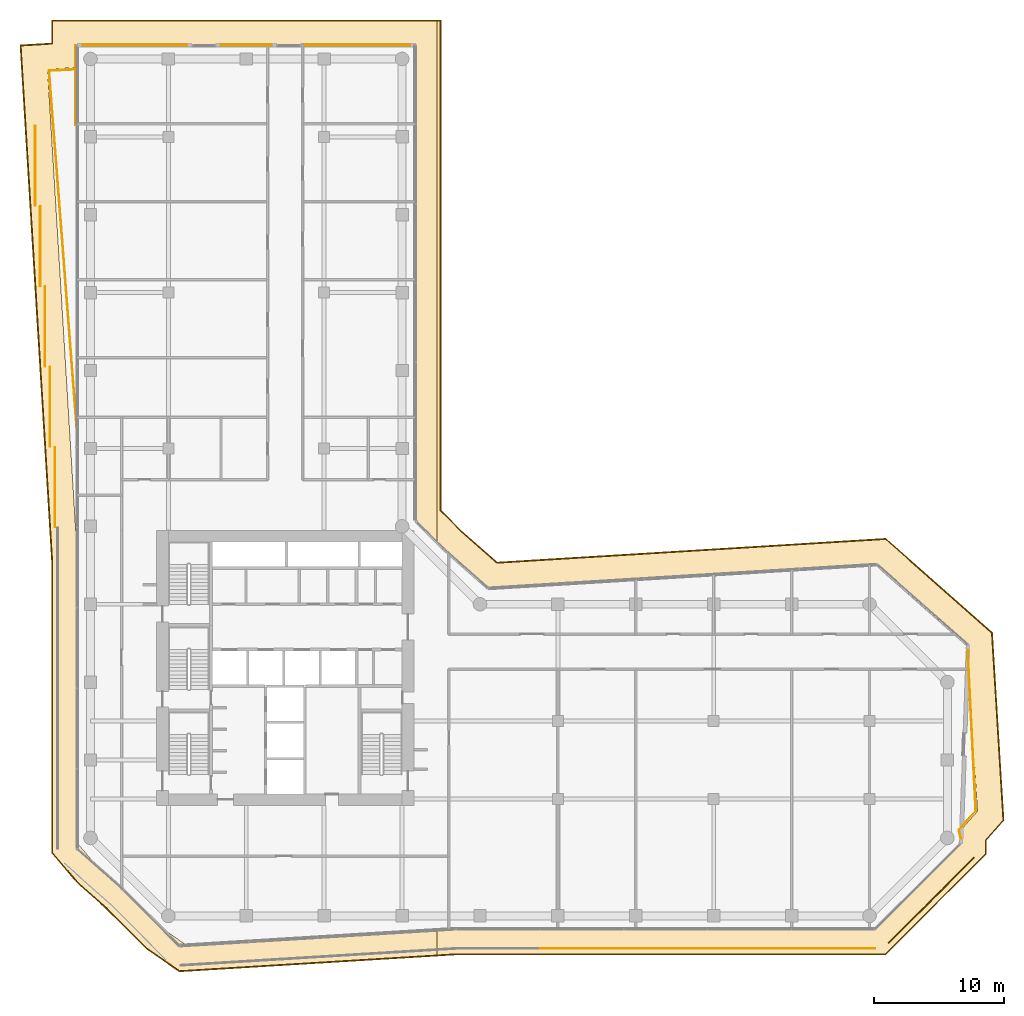
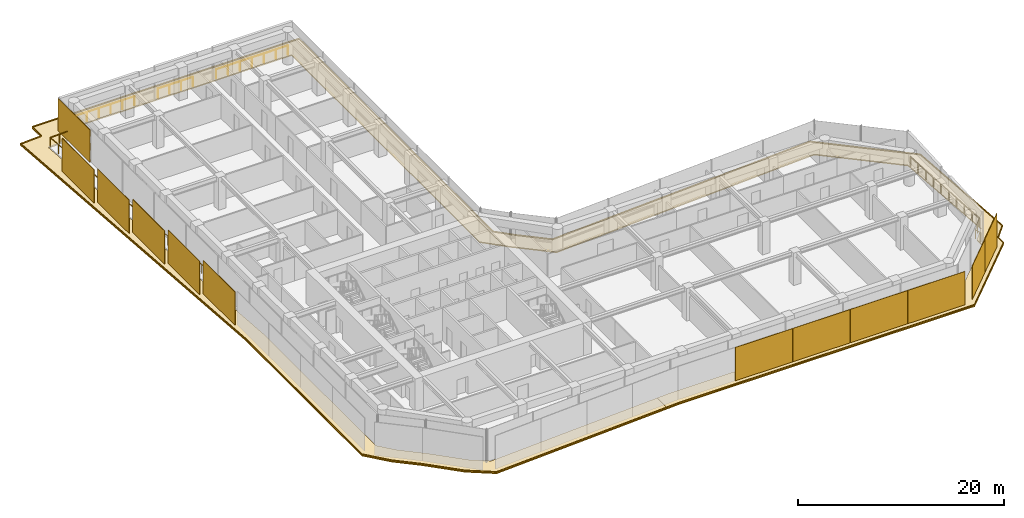
# One storey, part 29 of 29: 16 coverings, 5 railings.
"""IFC4 building model written with IfcOpenShell, lengths in metres."""

import ifcopenshell
import ifcopenshell.guid

model = None  # the IFC model being written
_history = None  # IfcOwnerHistory: only IFC2X3 demands one
_inside = {}  # id of a spatial element -> (the spatial element, [elements in it])
_under = {}  # id of a project, library or spatial element -> (it, [spatial elements below it])
_declared = {}  # id of a project -> (the project, [libraries it declares])
_typed = {}  # id of a type object -> (the type object, [elements of that type])
_made_of = {}  # id of a material, layer set ... -> (it, [elements and type objects made of it])


def new_model(schema):
    """Start an empty IFC model of exactly this schema.

    Asked for "IFC4X3", IfcOpenShell would pick the latest addendum, in which some entities
    have other attributes; the version numbers below select the first issue.
    IFC2X3 requires an IfcOwnerHistory on every rooted entity: one is made here for all.
    """
    global model, _history
    if schema == "IFC4X3":
        model = ifcopenshell.file(schema_version=(4, 3, 0, 0))
    else:
        model = ifcopenshell.file(schema=schema)
    _inside.clear()
    _under.clear()
    _declared.clear()
    _typed.clear()
    _made_of.clear()
    _history = None
    if model.schema == "IFC2X3":
        org = make("IfcOrganization", Name="unknown")
        user = make(
            "IfcPersonAndOrganization",
            ThePerson=make("IfcPerson", FamilyName="unknown"),
            TheOrganization=org,
        )
        app = make(
            "IfcApplication",
            ApplicationDeveloper=org,
            Version="unknown",
            ApplicationFullName="unknown",
            ApplicationIdentifier="unknown",
        )
        _history = make(
            "IfcOwnerHistory",
            OwningUser=user,
            OwningApplication=app,
            ChangeAction="ADDED",
            CreationDate=0,
        )
    return model


def make(cls, **values):
    """One entity of the class cls with the attributes given. An attribute that is None is left unset."""
    return model.create_entity(
        cls, **{name: value for name, value in values.items() if value is not None}
    )


def rooted(cls, **values):
    """An entity with a GlobalId (a new one), such as an element, a storey or a relation."""
    return make(cls, GlobalId=ifcopenshell.guid.new(), OwnerHistory=_history, **values)


def si_unit(unit_type, name, prefix=None):
    """IfcSIUnit, for example si_unit("LENGTHUNIT", "METRE", prefix="MILLI")."""
    return make("IfcSIUnit", UnitType=unit_type, Prefix=prefix, Name=name)


def assignment(units):
    """IfcUnitAssignment: the units of a project."""
    return None if units is None else make("IfcUnitAssignment", Units=units)


def point(xyz):
    """IfcCartesianPoint."""
    return None if xyz is None else make("IfcCartesianPoint", Coordinates=xyz)


def direction(xyz):
    """IfcDirection."""
    return None if xyz is None else make("IfcDirection", DirectionRatios=xyz)


def frame(location, z_axis=None, x_axis=None):
    """IfcAxis2Placement3D, a coordinate frame: its origin and axes. An axis left out is left unset."""
    return make(
        "IfcAxis2Placement3D",
        Location=point(location),
        Axis=direction(z_axis),
        RefDirection=direction(x_axis),
    )


def frame_2d(location, x_axis=None):
    """IfcAxis2Placement2D, a coordinate frame in the plane: its origin and x axis."""
    return make(
        "IfcAxis2Placement2D", Location=point(location), RefDirection=direction(x_axis)
    )


def origin():
    """The frame at (0, 0, 0) with its axes left unset."""
    return frame((0.0, 0.0, 0.0))


def origin_2d():
    """The frame at (0, 0) in the plane with its x axis left unset."""
    return frame_2d((0.0, 0.0))


def place(relative_to, where):
    """IfcLocalPlacement: puts the frame where relative to a parent placement (None: the world)."""
    return make(
        "IfcLocalPlacement", PlacementRelTo=relative_to, RelativePlacement=where
    )


def context(
    kind, dimensions, precision=None, world=None, true_north=None, identifier=None
):
    """IfcGeometricRepresentationContext, for example the 3D "Model" context."""
    return make(
        "IfcGeometricRepresentationContext",
        ContextIdentifier=identifier,
        ContextType=kind,
        CoordinateSpaceDimension=dimensions,
        Precision=precision,
        WorldCoordinateSystem=world,
        TrueNorth=true_north,
    )


def subcontext(parent, identifier, kind, view, scale=None):
    """IfcGeometricRepresentationSubContext, for example "Body" below "Model"."""
    return make(
        "IfcGeometricRepresentationSubContext",
        ContextIdentifier=identifier,
        ContextType=kind,
        ParentContext=parent,
        TargetScale=scale,
        TargetView=view,
    )


def project(units=None, contexts=None):
    """IfcProject with its units and contexts."""
    return rooted(
        "IfcProject",
        Name="project",
        RepresentationContexts=contexts,
        UnitsInContext=assignment(units),
    )


def spatial(cls, under=None, at=None, **own):
    """A site, building, storey or space (cls), placed at a placement, below another one or the project."""
    s = rooted(cls, ObjectPlacement=at, **own)
    if under is not None:
        _under.setdefault(under.id(), (under, []))[1].append(s)
    return s


def polyline(points):
    """IfcPolyline through the points."""
    return make("IfcPolyline", Points=[point(p) for p in points])


def profile(cls, at=None, kind="AREA", **sizes):
    """A parametric profile (cls). Its sizes go by their IFC names, for example OverallWidth=200.0."""
    return make(cls, ProfileType=kind, Position=at, **sizes)


def rectangle(**sizes):
    """IfcRectangleProfileDef."""
    return profile("IfcRectangleProfileDef", **sizes)


def circle(**sizes):
    """IfcCircleProfileDef."""
    return profile("IfcCircleProfileDef", **sizes)


def outline(outer, holes=None, kind="AREA"):
    """IfcArbitraryClosedProfileDef: a profile drawn as a closed curve; with holes, ...WithVoids."""
    if holes is None:
        return make("IfcArbitraryClosedProfileDef", ProfileType=kind, OuterCurve=outer)
    return make(
        "IfcArbitraryProfileDefWithVoids",
        ProfileType=kind,
        OuterCurve=outer,
        InnerCurves=holes,
    )


def extrude(swept, where, along, depth):
    """IfcExtrudedAreaSolid: the profile swept, set in the frame where, extruded along a direction by depth."""
    return make(
        "IfcExtrudedAreaSolid",
        SweptArea=swept,
        Position=where,
        ExtrudedDirection=direction(along),
        Depth=depth,
    )


def shape(context_of_items, identifier, shape_type, items):
    """IfcShapeRepresentation: the items that make up one representation, for example the "Body"."""
    return make(
        "IfcShapeRepresentation",
        ContextOfItems=context_of_items,
        RepresentationIdentifier=identifier,
        RepresentationType=shape_type,
        Items=items,
    )


def material(Name=None, Category=None):
    """IfcMaterial."""
    return make("IfcMaterial", Name=Name, Category=Category)


def layer(
    of_material, thickness, ventilated=None, Name=None, Category=None, Priority=None
):
    """IfcMaterialLayer: one layer of a wall or slab, of a material (None: an air gap)."""
    return make(
        "IfcMaterialLayer",
        Material=of_material,
        LayerThickness=thickness,
        IsVentilated=ventilated,
        Name=Name,
        Category=Category,
        Priority=Priority,
    )


def layer_set(layers, Name=None):
    """IfcMaterialLayerSet."""
    return make("IfcMaterialLayerSet", MaterialLayers=layers, LayerSetName=Name)


def made_of(thing, what):
    """Note that an element or type object is made of a material, layer set ...; save() writes the relation."""
    if what is not None:
        _made_of.setdefault(what.id(), (what, []))[1].append(thing)
    return thing


def type_object(cls, material=None, **own):
    """A type object (cls), such as IfcWallType, which elements share."""
    return made_of(rooted(cls, **own), material)


def element(
    cls,
    number,
    at=None,
    inside=None,
    cuts=None,
    type_object=None,
    material=None,
    context=None,
    identifier="Body",
    shape_type=None,
    held_by="IfcProductDefinitionShape",
    body=None,
    shapes=None,
    **own,
):
    """One element of the class cls, such as IfcWall. Its Tag is "e" and its number.

    at: its placement. inside: the storey or other place that contains it. cuts: it is an
    opening in that element (IfcRelVoidsElement). A single representation is given by context,
    identifier, shape_type and body (its items); several are given by shapes. held_by: the class
    of the entity that holds the representations. save() writes the other relations.
    """
    e = rooted(cls, Tag="e%d" % number, ObjectPlacement=at, **own)
    if body is not None:
        shapes = [shape(context, identifier, shape_type, body)]
    if shapes is not None:
        e.Representation = make(held_by, Representations=shapes)
    if inside is not None:
        _inside.setdefault(inside.id(), (inside, []))[1].append(e)
    if cuts is not None:
        rooted(
            "IfcRelVoidsElement", RelatingBuildingElement=cuts, RelatedOpeningElement=e
        )
    if type_object is not None:
        _typed.setdefault(type_object.id(), (type_object, []))[1].append(e)
    return made_of(e, material)


def aggregate(whole, parts):
    """IfcRelAggregates: a whole, such as a stair, and the parts it consists of."""
    return rooted("IfcRelAggregates", RelatingObject=whole, RelatedObjects=parts)


def save(model, path):
    """Write the relations noted so far, then the file.

    IfcRelAggregates (storeys below a building ...), IfcRelContainedInSpatialStructure (elements
    in a storey), IfcRelDefinesByType, IfcRelAssociatesMaterial and IfcRelDeclares: one each for
    every whole, place, type object, material and project.
    """
    for whole, parts in _under.values():
        aggregate(whole, parts)
    for where, things in _inside.values():
        rooted(
            "IfcRelContainedInSpatialStructure",
            RelatedElements=things,
            RelatingStructure=where,
        )
    for kind, things in _typed.values():
        rooted("IfcRelDefinesByType", RelatedObjects=things, RelatingType=kind)
    for what, things in _made_of.values():
        rooted("IfcRelAssociatesMaterial", RelatedObjects=things, RelatingMaterial=what)
    for by, libraries in _declared.values():
        rooted("IfcRelDeclares", RelatingContext=by, RelatedDefinitions=libraries)
    model.write(path)


model = new_model("IFC4")

# Units and contexts
model_context = context("Model", 3, precision=1e-05, world=origin(), true_north=direction((0.0, 1.0)))
body_context = subcontext(model_context, "Body", "Model", "MODEL_VIEW")
ifc_project = project(units=[si_unit("LENGTHUNIT", "METRE"), si_unit("AREAUNIT", "SQUARE_METRE"), si_unit("VOLUMEUNIT", "CUBIC_METRE"), si_unit("PLANEANGLEUNIT", "RADIAN"), si_unit("MASSUNIT", "GRAM", prefix="KILO")], contexts=[model_context])

# Site, building, storey
site_placement = place(None, origin())
site = spatial("IfcSite", under=ifc_project, at=site_placement, CompositionType="ELEMENT")
building_placement = place(site_placement, origin())
building = spatial("IfcBuilding", under=site, at=building_placement, Name="Welwitschia Terrace Campus", CompositionType="ELEMENT")
storey_placement = place(building_placement, frame((0.0, 0.0, 66.800048828125)))
storey = spatial("IfcBuildingStorey", under=building, at=storey_placement, Name="L15", CompositionType="ELEMENT", Elevation=66.800048828125)

# Coverings
ifc_material_1 = material(Name="Bronze mesh aluminium screen", Category="aluminium")
ifc_layer_1 = layer(ifc_material_1, 0.06005859375)
ifc_layer_set_1 = layer_set([ifc_layer_1], Name="Bronze mesh aluminium screen")
covering_type_1 = type_object("IfcCoveringType", Name="Bronze screen 60", PredefinedType="USERDEFINED", material=ifc_layer_set_1)
for number, where, z_axis, x_axis, name in (
    (1, (37.846923828125, -6.51611328125, 0.0), (0.0, 0.0, 1.0), (1.0, 0.0, 0.0), "Screen L15.3.1"),
    (2, (44.301513671875, -6.51611328125, 0.0), (0.0, 0.0, 1.0), (1.0, 0.0, 0.0), "Screen L15.3.2"),
    (3, (50.75634765625, -6.51611328125, 0.0), (0.0, 0.0, 1.0), (1.0, 0.0, 0.0), "Screen L15.3.3"),
    (4, (57.2109375, -6.51611328125, 0.0), (0.0, 0.0, 1.0), (1.0, 0.0, 0.0), "Screen L15.3.4"),
):
    element("IfcCovering", number, at=place(storey_placement, frame(where, z_axis=z_axis, x_axis=x_axis)), inside=storey, type_object=covering_type_1, Name=name, ObjectType="SCREEN", PredefinedType="USERDEFINED", context=body_context, shape_type="SweptSolid", body=[
        extrude(rectangle(XDim=6.4345703125, YDim=0.06005859375, at=origin_2d()), origin(), (0.0, 0.0, 1.0), 3.949951171875),
    ])
for number, where, z_axis, x_axis, name in (
    (5, (63.11474609375, -4.443359375, 0.0), (0.0, 0.0, 1.0), (0.707106781187, 0.707106781187, 0.0), "Screen L15.4.0"),
    (6, (66.40576171875, -1.15234375, 0.0), (0.0, 0.0, 1.0), (0.707106781187, 0.707106781187, 0.0), "Screen L15.4.1"),
):
    element("IfcCovering", number, at=place(storey_placement, frame(where, z_axis=z_axis, x_axis=x_axis)), inside=storey, type_object=covering_type_1, Name=name, ObjectType="SCREEN", PredefinedType="USERDEFINED", context=body_context, shape_type="SweptSolid", body=[
        extrude(rectangle(XDim=4.63427734375, YDim=0.06005859375, at=origin_2d()), origin(), (0.0, 0.0, 1.0), 3.949951171875),
    ])
covering_1_placement = place(storey_placement, frame((-1.14794921875, 59.96240234375, 0.0), z_axis=(0.0, 0.0, 1.0), x_axis=(0.0, -1.0, 0.0)))
element("IfcCovering", 7, at=covering_1_placement, inside=storey, type_object=covering_type_1, Name="Screen L15.12.0", ObjectType="SCREEN", PredefinedType="USERDEFINED", context=body_context, shape_type="SweptSolid", body=[
    extrude(rectangle(XDim=6.1708984375, YDim=0.06005859375, at=origin_2d()), origin(), (0.0, 0.0, 1.0), 3.85009765625),
])
for number, where, z_axis, x_axis, name in (
    (8, (-4.2529296875, 53.771484375, 0.0), (0.0, 0.0, 1.0), (0.0, -1.0, 0.0), "Screen L15.12.1"),
    (9, (-3.875, 47.580810546875, 0.0), (0.0, 0.0, 1.0), (0.0, -1.0, 0.0), "Screen L15.12.2"),
    (10, (-3.4970703125, 41.389892578125, 0.0), (0.0, 0.0, 1.0), (0.0, -1.0, 0.0), "Screen L15.12.3"),
    (11, (-3.119140625, 35.198974609375, 0.0), (0.0, 0.0, 1.0), (0.0, -1.0, 0.0), "Screen L15.12.4"),
    (12, (-2.7412109375, 29.008056640625, 0.0), (0.0, 0.0, 1.0), (0.0, -1.0, 0.0), "Screen L15.12.5"),
):
    element("IfcCovering", number, at=place(storey_placement, frame(where, z_axis=z_axis, x_axis=x_axis)), inside=storey, type_object=covering_type_1, Name=name, ObjectType="SCREEN", PredefinedType="USERDEFINED", context=body_context, shape_type="SweptSolid", body=[
        extrude(rectangle(XDim=6.1708984375, YDim=0.06005859375, at=origin_2d()), origin(), (0.0, 0.0, 1.0), 3.949951171875),
    ])

# Railings
ifc_material_2 = material(Name="Stainless steel grade 316", Category="steel")
railing_type = type_object("IfcRailingType", Name="Guard 1100", PredefinedType="GUARDRAIL", material=ifc_material_2)
railing_1_placement = place(storey_placement, frame((-1.05810546875, 33.69287109375, 0.0)))
element("IfcRailing", 13, at=railing_1_placement, inside=storey, type_object=railing_type, Name="Guard floor edge L15.0", PredefinedType="GUARDRAIL", context=body_context, shape_type="SweptSolid", body=[
    extrude(circle(Radius=0.02392578125, at=origin_2d()), frame((0.0, 0.0, 1.076171875), z_axis=(-0.077349396598, 0.997004047557, 0.0), x_axis=(-0.997004047557, -0.077349396598, 0.0)), (0.0, 0.0, 1.0), 27.47900390625),
    extrude(circle(Radius=0.02392578125, at=origin_2d()), frame((-2.12548828125, 27.396728515625, 1.076171875), z_axis=(0.998838353465, 0.048186550477, 0.0), x_axis=(-0.048186550477, 0.998838353465, 0.0)), (0.0, 0.0, 1.0), 2.1279296875),
    extrude(circle(Radius=0.02099609375, at=origin_2d()), origin(), (0.0, 0.0, 1.0), 1.052001953125),
    extrude(circle(Radius=0.02099609375, at=origin_2d()), frame((-0.11181640625, 1.44189453125, 0.0)), (0.0, 0.0, 1.0), 1.052001953125),
    extrude(circle(Radius=0.02099609375, at=origin_2d()), frame((-0.2236328125, 2.8837890625, 0.0)), (0.0, 0.0, 1.0), 1.052001953125),
    extrude(circle(Radius=0.02099609375, at=origin_2d()), frame((-0.335693359375, 4.32568359375, 0.0)), (0.0, 0.0, 1.0), 1.052001953125),
    extrude(circle(Radius=0.02099609375, at=origin_2d()), frame((-0.447509765625, 5.767822265625, 0.0)), (0.0, 0.0, 1.0), 1.052001953125),
    extrude(circle(Radius=0.02099609375, at=origin_2d()), frame((-0.559326171875, 7.209716796875, 0.0)), (0.0, 0.0, 1.0), 1.052001953125),
    extrude(circle(Radius=0.02099609375, at=origin_2d()), frame((-0.671142578125, 8.651611328125, 0.0)), (0.0, 0.0, 1.0), 1.052001953125),
    extrude(circle(Radius=0.02099609375, at=origin_2d()), frame((-0.782958984375, 10.093505859375, 0.0)), (0.0, 0.0, 1.0), 1.052001953125),
    extrude(circle(Radius=0.02099609375, at=origin_2d()), frame((-0.89501953125, 11.535400390625, 0.0)), (0.0, 0.0, 1.0), 1.052001953125),
    extrude(circle(Radius=0.02099609375, at=origin_2d()), frame((-1.0068359375, 12.977294921875, 0.0)), (0.0, 0.0, 1.0), 1.052001953125),
    extrude(circle(Radius=0.02099609375, at=origin_2d()), frame((-1.11865234375, 14.41943359375, 0.0)), (0.0, 0.0, 1.0), 1.052001953125),
    extrude(circle(Radius=0.02099609375, at=origin_2d()), frame((-1.23046875, 15.861328125, 0.0)), (0.0, 0.0, 1.0), 1.052001953125),
    extrude(circle(Radius=0.02099609375, at=origin_2d()), frame((-1.342529296875, 17.30322265625, 0.0)), (0.0, 0.0, 1.0), 1.052001953125),
    extrude(circle(Radius=0.02099609375, at=origin_2d()), frame((-1.454345703125, 18.7451171875, 0.0)), (0.0, 0.0, 1.0), 1.052001953125),
    extrude(circle(Radius=0.02099609375, at=origin_2d()), frame((-1.566162109375, 20.18701171875, 0.0)), (0.0, 0.0, 1.0), 1.052001953125),
    extrude(circle(Radius=0.02099609375, at=origin_2d()), frame((-1.677978515625, 21.62890625, 0.0)), (0.0, 0.0, 1.0), 1.052001953125),
    extrude(circle(Radius=0.02099609375, at=origin_2d()), frame((-1.789794921875, 23.071044921875, 0.0)), (0.0, 0.0, 1.0), 1.052001953125),
    extrude(circle(Radius=0.02099609375, at=origin_2d()), frame((-1.90185546875, 24.512939453125, 0.0)), (0.0, 0.0, 1.0), 1.052001953125),
    extrude(circle(Radius=0.02099609375, at=origin_2d()), frame((-2.013671875, 25.954833984375, 0.0)), (0.0, 0.0, 1.0), 1.052001953125),
    extrude(circle(Radius=0.02099609375, at=origin_2d()), frame((-2.12548828125, 27.396728515625, 0.0)), (0.0, 0.0, 1.0), 1.052001953125),
    extrude(circle(Radius=0.02099609375, at=origin_2d()), frame((-1.062744140625, 27.447998046875, 0.0)), (0.0, 0.0, 1.0), 1.052001953125),
    extrude(circle(Radius=0.02099609375, at=origin_2d()), frame((0.0, 27.499267578125, 0.0)), (0.0, 0.0, 1.0), 1.052001953125),
])
railing_2_placement = place(storey_placement, frame((-0.60791015625, 63.05810546875, 0.0)))
element("IfcRailing", 14, at=railing_2_placement, inside=storey, type_object=railing_type, Name="Guard floor edge L15.1", PredefinedType="GUARDRAIL", context=body_context, shape_type="SweptSolid", body=[
    extrude(circle(Radius=0.02392578125, at=origin_2d()), frame((0.0, 0.0, 1.076171875), z_axis=(1.0, 0.0, 0.0), x_axis=(0.0, 1.0, 0.0)), (0.0, 0.0, 1.0), 8.030517578125),
    extrude(circle(Radius=0.02099609375, at=origin_2d()), origin(), (0.0, 0.0, 1.0), 1.052001953125),
    extrude(circle(Radius=0.02099609375, at=origin_2d()), frame((1.33837890625, 0.0, 0.0)), (0.0, 0.0, 1.0), 1.052001953125),
    extrude(circle(Radius=0.02099609375, at=origin_2d()), frame((2.6767578125, 0.0, 0.0)), (0.0, 0.0, 1.0), 1.052001953125),
    extrude(circle(Radius=0.02099609375, at=origin_2d()), frame((4.01513671875, 0.0, 0.0)), (0.0, 0.0, 1.0), 1.052001953125),
    extrude(circle(Radius=0.02099609375, at=origin_2d()), frame((5.353759765625, 0.0, 0.0)), (0.0, 0.0, 1.0), 1.052001953125),
    extrude(circle(Radius=0.02099609375, at=origin_2d()), frame((6.692138671875, 0.0, 0.0)), (0.0, 0.0, 1.0), 1.052001953125),
    extrude(circle(Radius=0.02099609375, at=origin_2d()), frame((8.030517578125, 0.0, 0.0)), (0.0, 0.0, 1.0), 1.052001953125),
])
railing_3_placement = place(storey_placement, frame((10.048583984375, 63.05810546875, 0.0)))
element("IfcRailing", 15, at=railing_3_placement, inside=storey, type_object=railing_type, Name="Guard floor edge L15.2", PredefinedType="GUARDRAIL", context=body_context, shape_type="SweptSolid", body=[
    extrude(circle(Radius=0.02392578125, at=origin_2d()), frame((0.0, 0.0, 1.076171875), z_axis=(1.0, 0.0, 0.0), x_axis=(0.0, 1.0, 0.0)), (0.0, 0.0, 1.0), 3.90283203125),
    extrude(circle(Radius=0.02099609375, at=origin_2d()), origin(), (0.0, 0.0, 1.0), 1.052001953125),
    extrude(circle(Radius=0.02099609375, at=origin_2d()), frame((1.301025390625, 0.0, 0.0)), (0.0, 0.0, 1.0), 1.052001953125),
    extrude(circle(Radius=0.02099609375, at=origin_2d()), frame((2.601806640625, 0.0, 0.0)), (0.0, 0.0, 1.0), 1.052001953125),
    extrude(circle(Radius=0.02099609375, at=origin_2d()), frame((3.90283203125, 0.0, 0.0)), (0.0, 0.0, 1.0), 1.052001953125),
])
railing_4_placement = place(storey_placement, frame((16.577392578125, 63.05810546875, 0.0)))
element("IfcRailing", 16, at=railing_4_placement, inside=storey, type_object=railing_type, Name="Guard floor edge L15.3", PredefinedType="GUARDRAIL", context=body_context, shape_type="SweptSolid", body=[
    extrude(circle(Radius=0.02392578125, at=origin_2d()), frame((0.0, 0.0, 1.076171875), z_axis=(1.0, 0.0, 0.0), x_axis=(0.0, 1.0, 0.0)), (0.0, 0.0, 1.0), 8.030517578125),
    extrude(circle(Radius=0.02099609375, at=origin_2d()), origin(), (0.0, 0.0, 1.0), 1.052001953125),
    extrude(circle(Radius=0.02099609375, at=origin_2d()), frame((1.33837890625, 0.0, 0.0)), (0.0, 0.0, 1.0), 1.052001953125),
    extrude(circle(Radius=0.02099609375, at=origin_2d()), frame((2.6767578125, 0.0, 0.0)), (0.0, 0.0, 1.0), 1.052001953125),
    extrude(circle(Radius=0.02099609375, at=origin_2d()), frame((4.01513671875, 0.0, 0.0)), (0.0, 0.0, 1.0), 1.052001953125),
    extrude(circle(Radius=0.02099609375, at=origin_2d()), frame((5.353759765625, 0.0, 0.0)), (0.0, 0.0, 1.0), 1.052001953125),
    extrude(circle(Radius=0.02099609375, at=origin_2d()), frame((6.692138671875, 0.0, 0.0)), (0.0, 0.0, 1.0), 1.052001953125),
    extrude(circle(Radius=0.02099609375, at=origin_2d()), frame((8.030517578125, 0.0, 0.0)), (0.0, 0.0, 1.0), 1.052001953125),
])
railing_5_placement = place(storey_placement, frame((67.569091796875, 16.45751953125, 0.0)))
element("IfcRailing", 17, at=railing_5_placement, inside=storey, type_object=railing_type, Name="Guard floor edge L15.4", PredefinedType="GUARDRAIL", context=body_context, shape_type="SweptSolid", body=[
    extrude(circle(Radius=0.02392578125, at=origin_2d()), frame((0.0, 0.0, 1.076171875), z_axis=(0.050062559221, -0.998746083929, 0.0), x_axis=(0.998746083929, 0.050062559221, 0.0)), (0.0, 0.0, 1.0), 12.377197265625),
    extrude(circle(Radius=0.02392578125, at=origin_2d()), frame((0.61962890625, -12.361572265625, 1.076171875), z_axis=(-0.662651222112, -0.748928139298, 0.0), x_axis=(0.748928139298, -0.662651222112, 0.0)), (0.0, 0.0, 1.0), 1.97509765625),
    extrude(circle(Radius=0.02392578125, at=origin_2d()), frame((-0.689208984375, -13.8408203125, 1.076171875), z_axis=(0.226411868956, -0.974031655336, 0.0), x_axis=(0.974031655336, 0.226411868956, 0.0)), (0.0, 0.0, 1.0), 0.68896484375),
    extrude(circle(Radius=0.02099609375, at=origin_2d()), origin(), (0.0, 0.0, 1.0), 1.052001953125),
    extrude(circle(Radius=0.02099609375, at=origin_2d()), frame((0.06884765625, -1.37353515625, 0.0)), (0.0, 0.0, 1.0), 1.052001953125),
    extrude(circle(Radius=0.02099609375, at=origin_2d()), frame((0.1376953125, -2.7470703125, 0.0)), (0.0, 0.0, 1.0), 1.052001953125),
    extrude(circle(Radius=0.02099609375, at=origin_2d()), frame((0.20654296875, -4.12060546875, 0.0)), (0.0, 0.0, 1.0), 1.052001953125),
    extrude(circle(Radius=0.02099609375, at=origin_2d()), frame((0.275390625, -5.494140625, 0.0)), (0.0, 0.0, 1.0), 1.052001953125),
    extrude(circle(Radius=0.02099609375, at=origin_2d()), frame((0.34423828125, -6.867431640625, 0.0)), (0.0, 0.0, 1.0), 1.052001953125),
    extrude(circle(Radius=0.02099609375, at=origin_2d()), frame((0.4130859375, -8.240966796875, 0.0)), (0.0, 0.0, 1.0), 1.052001953125),
    extrude(circle(Radius=0.02099609375, at=origin_2d()), frame((0.48193359375, -9.614501953125, 0.0)), (0.0, 0.0, 1.0), 1.052001953125),
    extrude(circle(Radius=0.02099609375, at=origin_2d()), frame((0.55078125, -10.988037109375, 0.0)), (0.0, 0.0, 1.0), 1.052001953125),
    extrude(circle(Radius=0.02099609375, at=origin_2d()), frame((0.61962890625, -12.361572265625, 0.0)), (0.0, 0.0, 1.0), 1.052001953125),
    extrude(circle(Radius=0.02099609375, at=origin_2d()), frame((-0.03466796875, -13.10107421875, 0.0)), (0.0, 0.0, 1.0), 1.052001953125),
    extrude(circle(Radius=0.02099609375, at=origin_2d()), frame((-0.689208984375, -13.8408203125, 0.0)), (0.0, 0.0, 1.0), 1.052001953125),
    extrude(circle(Radius=0.02099609375, at=origin_2d()), frame((-0.533203125, -14.511962890625, 0.0)), (0.0, 0.0, 1.0), 1.052001953125),
])

# Coverings
ifc_material_3 = material(Name="Bronze anodised aluminium", Category="aluminium")
ifc_layer_2 = layer(ifc_material_3, 0.1201171875)
ifc_layer_set_2 = layer_set([ifc_layer_2], Name="Bronze anodised aluminium")
covering_type_2 = type_object("IfcCoveringType", Name="Sunshade band 2000", PredefinedType="USERDEFINED", material=ifc_layer_set_2)
covering_2_placement = place(storey_placement, frame((0.0, 0.0, -0.25)))
element("IfcCovering", 18, at=covering_2_placement, inside=storey, type_object=covering_type_2, Name="SUNSHADE L15.SW0", ObjectType="SUNSHADE", PredefinedType="USERDEFINED", context=body_context, shape_type="SweptSolid", body=[
    extrude(outline(polyline([(-5.42919921875, 63.076171875), (-3.0, 63.224853515625), (-3.0, 65.0), (26.689208984375, 65.0), (26.689208984375, 24.72509765625), (25.0, 26.414306640625), (25.0, 63.0), (-1.0, 63.0), (-1.0, 61.343505859375), (-3.310791015625, 61.201904296875), (-1.0, 23.42138671875), (-1.0, 1.585693359375), (0.4384765625, -0.09765625), (2.563232421875, -1.977294921875), (5.585693359375, -5.0), (7.4140625, -6.26904296875), (26.689208984375, -5.090087890625), (26.689208984375, -7.093994140625), (6.843505859375, -8.3076171875), (4.298095703125, -6.540771484375), (1.192138671875, -3.434814453125), (-0.9912109375, -1.5029296875), (-3.0, 0.84765625), (-3.0, 23.3603515625), (-5.42919921875, 63.076171875)])), origin(), (0.0, 0.0, 1.0), 0.119873046875),
])
covering_3_placement = place(storey_placement, frame((0.0, 0.0, -0.25)))
element("IfcCovering", 19, at=covering_3_placement, inside=storey, type_object=covering_type_2, Name="SUNSHADE L15.SE0", ObjectType="SUNSHADE", PredefinedType="USERDEFINED", context=body_context, shape_type="SweptSolid", body=[
    extrude(outline(polyline([(27.0, 65.0), (27.0, 27.24267578125), (28.572021484375, 25.670654296875), (31.313720703125, 23.2451171875), (61.2578125, 25.076416015625), (69.47412109375, 17.80712890625), (70.3583984375, 3.348876953125), (69.0, 1.8134765625), (69.0, 0.75732421875), (61.24267578125, -7.0), (28.224365234375, -7.0), (26.689208984375, -7.093994140625), (26.689208984375, -5.090087890625), (28.1630859375, -5.0), (60.414306640625, -5.0), (67.0, 1.585693359375), (67.0, 2.571044921875), (68.311767578125, 4.0537109375), (67.528564453125, 16.858154296875), (60.552978515625, 23.029541015625), (30.60888671875, 21.1982421875), (27.200927734375, 24.21337890625), (26.689208984375, 24.72509765625), (26.689208984375, 65.0), (27.0, 65.0)])), origin(), (0.0, 0.0, 1.0), 0.119873046875),
])
ifc_material_4 = material(Name="Bronze anodised aluminium", Category="aluminium")
ifc_layer_3 = layer(ifc_material_4, 0.06005859375)
ifc_layer_set_3 = layer_set([ifc_layer_3], Name="Bronze anodised aluminium")
covering_type_3 = type_object("IfcCoveringType", Name="Sunshade lip 60", PredefinedType="USERDEFINED", material=ifc_layer_set_3)
covering_4_placement = place(storey_placement, frame((0.0, 0.0, -0.130126953125)))
element("IfcCovering", 20, at=covering_4_placement, inside=storey, type_object=covering_type_3, Name="SUNSHADE LIP L15.SW0.0", ObjectType="SUNSHADE", PredefinedType="USERDEFINED", context=body_context, shape_type="SweptSolid", body=[
    extrude(outline(polyline([(-3.0, 63.224853515625), (-3.0, 65.0), (26.689208984375, 65.0), (26.689208984375, 64.93994140625), (-2.93994140625, 64.93994140625), (-2.93994140625, 63.168212890625), (-5.365478515625, 63.02001953125), (-2.93994140625, 23.362060546875), (-2.93994140625, 0.869873046875), (-0.948486328125, -1.4609375), (1.2333984375, -3.39111328125), (4.3369140625, -6.49462890625), (6.860595703125, -8.24658203125), (26.689208984375, -7.03369140625), (26.689208984375, -7.093994140625), (6.843505859375, -8.3076171875), (4.298095703125, -6.540771484375), (1.192138671875, -3.434814453125), (-0.9912109375, -1.5029296875), (-3.0, 0.84765625), (-3.0, 23.3603515625), (-5.42919921875, 63.076171875), (-3.0, 63.224853515625)])), origin(), (0.0, 0.0, 1.0), 0.130126953125),
])
covering_5_placement = place(storey_placement, frame((0.0, 0.0, -0.130126953125)))
element("IfcCovering", 21, at=covering_5_placement, inside=storey, type_object=covering_type_3, Name="SUNSHADE LIP L15.SE0.0", ObjectType="SUNSHADE", PredefinedType="USERDEFINED", context=body_context, shape_type="SweptSolid", body=[
    extrude(outline(polyline([(27.0, 27.24267578125), (28.572021484375, 25.670654296875), (31.313720703125, 23.2451171875), (61.2578125, 25.076416015625), (69.47412109375, 17.80712890625), (70.3583984375, 3.348876953125), (69.0, 1.8134765625), (69.0, 0.75732421875), (61.24267578125, -7.0), (28.224365234375, -7.0), (26.689208984375, -7.093994140625), (26.689208984375, -7.03369140625), (28.222412109375, -6.93994140625), (61.2177734375, -6.93994140625), (68.93994140625, 0.7822265625), (68.93994140625, 1.836181640625), (70.297119140625, 3.3701171875), (69.415771484375, 17.77880859375), (61.236572265625, 25.01513671875), (31.29248046875, 23.18359375), (28.53076171875, 25.626953125), (26.93994140625, 27.2177734375), (26.93994140625, 64.93994140625), (26.689208984375, 64.93994140625), (26.689208984375, 65.0), (27.0, 65.0), (27.0, 27.24267578125)])), origin(), (0.0, 0.0, 1.0), 0.130126953125),
])

save(model, "model.ifc")
